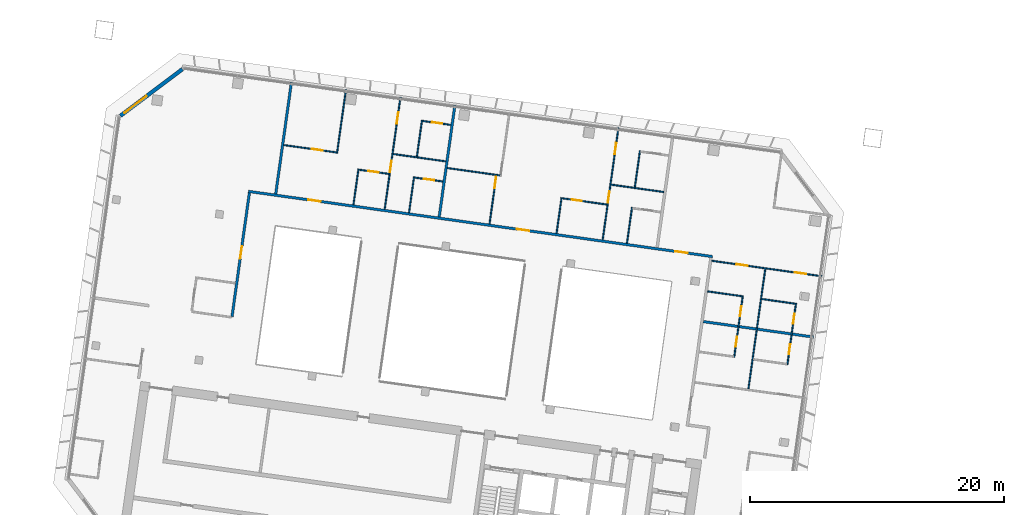
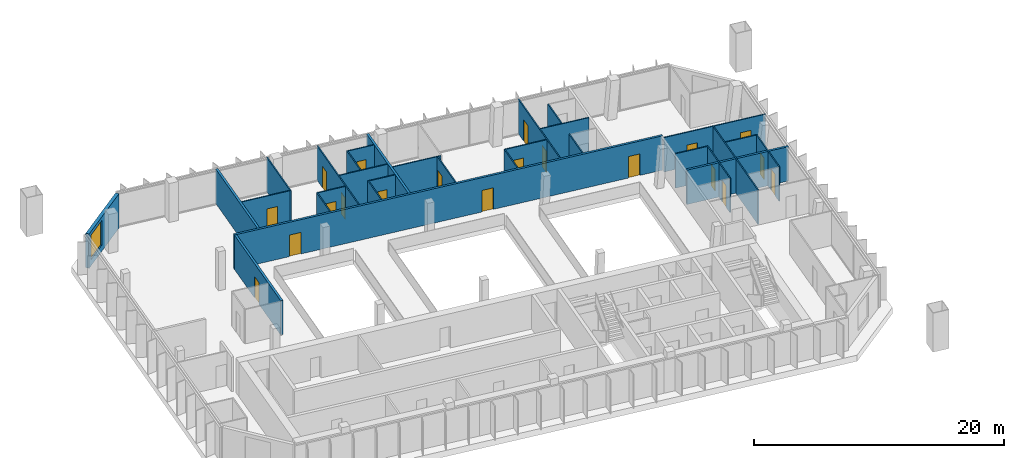
# One storey, part 15 of 23: 30 walls, 20 doors, 1 window, 21 openings.
"""IFC4 building model written with IfcOpenShell, lengths in metres."""

from ifc_helpers import new_model, si_unit, direction, frame, frame_2d, origin, place, context, subcontext, project, spatial, rectangle, extrude, material, layer, layer_set, type_object, element, fill, save


model = new_model("IFC4")

# Units and contexts
model_context = context("Model", 3, precision=1e-05, world=origin(), true_north=direction((0.0, 1.0)))
body_context = subcontext(model_context, "Body", "Model", "MODEL_VIEW")
ifc_project = project(units=[si_unit("LENGTHUNIT", "METRE"), si_unit("AREAUNIT", "SQUARE_METRE"), si_unit("VOLUMEUNIT", "CUBIC_METRE"), si_unit("PLANEANGLEUNIT", "RADIAN"), si_unit("MASSUNIT", "GRAM", prefix="KILO")], contexts=[model_context])

# Site, building, storey
site_placement = place(None, origin())
site = spatial("IfcSite", under=ifc_project, at=site_placement, CompositionType="ELEMENT")
building_placement = place(site_placement, origin())
building = spatial("IfcBuilding", under=site, at=building_placement, Name="Mirante Cascada Hotel Towers", CompositionType="ELEMENT")
storey_placement = place(building_placement, frame((0.0, 0.0, 199.2)))
storey = spatial("IfcBuildingStorey", under=building, at=storey_placement, Name="L47", CompositionType="ELEMENT", Elevation=199.2)

# Wall
ifc_material_1 = material(Name="Fire-rated plasterboard on metal studs")
ifc_layer_1 = layer(ifc_material_1, 0.2)
ifc_layer_set_1 = layer_set([ifc_layer_1], Name="Compartment wall 200 EI 120")
wall_type_1 = type_object("IfcWallType", Name="Compartment wall 200 EI 120", PredefinedType="PARTITIONING", material=ifc_layer_set_1)
wall_1_placement = place(storey_placement, frame((-26.6958, 2.4164, 0.0), z_axis=(0.0, 0.0, 1.0), x_axis=(-0.990268, 0.1391733, 0.0)))
element("IfcWall", 1, at=wall_1_placement, inside=storey, type_object=wall_type_1, Name="Wall 1-L47-14", PredefinedType="PARTITIONING", context=body_context, shape_type="SweptSolid", body=[
    extrude(rectangle(XDim=8.7574, YDim=0.2, at=frame_2d((4.3787, 0.0))), origin(), (0.0, 0.0, 1.0), 3.35),
])

# Wall, openings, doors
wall_2_placement = place(storey_placement, frame((-34.6489, 8.7516, 0.0), z_axis=(0.0, 0.0, 1.0), x_axis=(-0.990268, 0.1391734, 0.0)))
wall_2 = element("IfcWall", 2, at=wall_2_placement, inside=storey, type_object=wall_type_1, Name="Wall 1-L47-18", PredefinedType="PARTITIONING", context=body_context, shape_type="SweptSolid", body=[
    extrude(rectangle(XDim=36.9, YDim=0.2, at=frame_2d((18.45, 0.0))), origin(), (0.0, 0.0, 1.0), 3.35),
])
opening_1_placement = place(wall_2_placement, frame((1.9538, 0.0, 0.0)))
opening_1 = element("IfcOpeningElement", 3, at=opening_1_placement, cuts=wall_2, Name="Opening D1-L47-06", PredefinedType="OPENING", context=body_context, shape_type="SweptSolid", body=[
    extrude(rectangle(XDim=1.0, YDim=2.1, at=frame_2d((0.5, 1.05))), frame((0.0, 0.1, 0.0), z_axis=(0.0, -1.0, 0.0), x_axis=(1.0, 0.0, 0.0)), (0.0, 0.0, 1.0), 0.2),
])
opening_2_placement = place(wall_2_placement, frame((14.5726, 0.0, 0.0)))
opening_2 = element("IfcOpeningElement", 4, at=opening_2_placement, cuts=wall_2, Name="Opening D1-L47-07", PredefinedType="OPENING", context=body_context, shape_type="SweptSolid", body=[
    extrude(rectangle(XDim=1.0, YDim=2.1, at=frame_2d((0.5, 1.05))), frame((0.0, 0.1, 0.0), z_axis=(0.0, -1.0, 0.0), x_axis=(1.0, 0.0, 0.0)), (0.0, 0.0, 1.0), 0.2),
])
opening_3_placement = place(wall_2_placement, frame((31.1459, 0.0, 0.0)))
opening_3 = element("IfcOpeningElement", 5, at=opening_3_placement, cuts=wall_2, Name="Opening D1-L47-08", PredefinedType="OPENING", context=body_context, shape_type="SweptSolid", body=[
    extrude(rectangle(XDim=1.0, YDim=2.1, at=frame_2d((0.5, 1.05))), frame((0.0, 0.1, 0.0), z_axis=(0.0, -1.0, 0.0), x_axis=(1.0, 0.0, 0.0)), (0.0, 0.0, 1.0), 0.2),
])
ifc_material_2 = material(Name="Fire-rated timber door leaf", Category="wood")
door_type_1 = type_object("IfcDoorType", Name="Entrance door DG1 1000x2100 EI 60", OperationType="SINGLE_SWING_LEFT", PredefinedType="DOOR", material=ifc_material_2)
door_1_placement = place(opening_1_placement, frame((1.0, 0.0, 0.0), z_axis=(0.0, 0.0, 1.0), x_axis=(-1.0, 0.0, 0.0)))
door_1 = element("IfcDoor", 6, at=door_1_placement, inside=storey, type_object=door_type_1, Name="Door D1-L47-06", OperationType="SINGLE_SWING_RIGHT", OverallHeight=2.1, OverallWidth=1.0, PredefinedType="DOOR", context=body_context, shape_type="SweptSolid", body=[
    extrude(rectangle(XDim=1.0, YDim=2.1, at=frame_2d((0.5, 1.05))), frame((0.0, 0.025, 0.0), z_axis=(0.0, -1.0, 0.0), x_axis=(1.0, 0.0, 0.0)), (0.0, 0.0, 1.0), 0.05),
])
fill(opening_1, door_1)
door_2_placement = place(opening_2_placement, frame((1.0, 0.0, 0.0), z_axis=(0.0, 0.0, 1.0), x_axis=(-1.0, 0.0, 0.0)))
door_2 = element("IfcDoor", 7, at=door_2_placement, inside=storey, type_object=door_type_1, Name="Door D1-L47-07", OperationType="SINGLE_SWING_RIGHT", OverallHeight=2.1, OverallWidth=1.0, PredefinedType="DOOR", context=body_context, shape_type="SweptSolid", body=[
    extrude(rectangle(XDim=1.0, YDim=2.1, at=frame_2d((0.5, 1.05))), frame((0.0, 0.025, 0.0), z_axis=(0.0, -1.0, 0.0), x_axis=(1.0, 0.0, 0.0)), (0.0, 0.0, 1.0), 0.05),
])
fill(opening_2, door_2)
door_3_placement = place(opening_3_placement, frame((1.0, 0.0, 0.0), z_axis=(0.0, 0.0, 1.0), x_axis=(-1.0, 0.0, 0.0)))
door_3 = element("IfcDoor", 8, at=door_3_placement, inside=storey, type_object=door_type_1, Name="Door D1-L47-08", OperationType="SINGLE_SWING_RIGHT", OverallHeight=2.1, OverallWidth=1.0, PredefinedType="DOOR", context=body_context, shape_type="SweptSolid", body=[
    extrude(rectangle(XDim=1.0, YDim=2.1, at=frame_2d((0.5, 1.05))), frame((0.0, 0.025, 0.0), z_axis=(0.0, -1.0, 0.0), x_axis=(1.0, 0.0, 0.0)), (0.0, 0.0, 1.0), 0.05),
])
fill(opening_3, door_3)

# Walls
for number, where, z_axis, x_axis, name in (
    (9, (-56.1609, 11.8759, 0.0), (0.0, 0.0, 1.0), (0.1391684, 0.9902687, 0.0), "Wall 1-L47-46"),
    (10, (-69.0319, 13.6848, 0.0), (0.0, 0.0, 1.0), (0.1391684, 0.9902687, 0.0), "Wall 1-L47-52"),
):
    element("IfcWall", number, at=place(storey_placement, frame(where, z_axis=z_axis, x_axis=x_axis)), inside=storey, type_object=wall_type_1, Name=name, PredefinedType="PARTITIONING", context=body_context, shape_type="SweptSolid", body=[
        extrude(rectangle(XDim=8.9, YDim=0.2, at=frame_2d((4.45, 0.0))), origin(), (0.0, 0.0, 1.0), 3.35),
    ])

# Wall, opening, door
wall_3_placement = place(storey_placement, frame((-71.1047, 13.7742, 0.0), z_axis=(0.0, 0.0, 1.0), x_axis=(-0.1391668, -0.990269, 0.0)))
wall_3 = element("IfcWall", 11, at=wall_3_placement, inside=storey, type_object=wall_type_1, Name="Wall 1-L47-53", PredefinedType="PARTITIONING", context=body_context, shape_type="SweptSolid", body=[
    extrude(rectangle(XDim=9.8501, YDim=0.2, at=frame_2d((4.925, 0.0))), origin(), (0.0, 0.0, 1.0), 3.35),
])
opening_4_placement = place(wall_3_placement, frame((4.25, 0.0, 0.0)))
opening_4 = element("IfcOpeningElement", 12, at=opening_4_placement, cuts=wall_3, Name="Opening D1-L47-31", PredefinedType="OPENING", context=body_context, shape_type="SweptSolid", body=[
    extrude(rectangle(XDim=1.0, YDim=2.1, at=frame_2d((0.5, 1.05))), frame((0.0, 0.1, 0.0), z_axis=(0.0, -1.0, 0.0), x_axis=(1.0, 0.0, 0.0)), (0.0, 0.0, 1.0), 0.2),
])
door_4_placement = place(opening_4_placement, frame((1.0, 0.0, 0.0), z_axis=(0.0, 0.0, 1.0), x_axis=(-1.0, 0.0, 0.0)))
door_4 = element("IfcDoor", 13, at=door_4_placement, inside=storey, type_object=door_type_1, Name="Door D1-L47-31", OperationType="SINGLE_SWING_RIGHT", OverallHeight=2.1, OverallWidth=1.0, PredefinedType="DOOR", context=body_context, shape_type="SweptSolid", body=[
    extrude(rectangle(XDim=1.0, YDim=2.1, at=frame_2d((0.5, 1.05))), frame((0.0, 0.025, 0.0), z_axis=(0.0, -1.0, 0.0), x_axis=(1.0, 0.0, 0.0)), (0.0, 0.0, 1.0), 0.05),
])
fill(opening_4, door_4)

# Walls
ifc_material_3 = material(Name="Plasterboard on metal studs")
ifc_layer_2 = layer(ifc_material_3, 0.1)
ifc_layer_set_2 = layer_set([ifc_layer_2], Name="Partition 100")
wall_type_2 = type_object("IfcWallType", Name="Partition 100", PredefinedType="PARTITIONING", material=ifc_layer_set_2)
wall_4_placement = place(storey_placement, frame((-30.7685, 5.4124, 0.0), z_axis=(0.0, 0.0, 1.0), x_axis=(0.9902667, -0.1391831, 0.0)))
element("IfcWall", 14, at=wall_4_placement, inside=storey, type_object=wall_type_2, Name="Wall 1-L47-15", PredefinedType="PARTITIONING", context=body_context, shape_type="SweptSolid", body=[
    extrude(rectangle(XDim=2.6713, YDim=0.1, at=frame_2d((1.3356, 0.0))), origin(), (0.0, 0.0, 1.0), 3.35),
])
wall_5_placement = place(storey_placement, frame((-32.3107, 5.6291, 0.0), z_axis=(0.0, 0.0, 1.0), x_axis=(-0.9902648, 0.1391963, 0.0)))
element("IfcWall", 15, at=wall_5_placement, inside=storey, type_object=wall_type_2, Name="Wall 1-L47-16", PredefinedType="PARTITIONING", context=body_context, shape_type="SweptSolid", body=[
    extrude(rectangle(XDim=2.7501, YDim=0.1, at=frame_2d((1.3751, 0.0))), origin(), (0.0, 0.0, 1.0), 3.35),
])

# Wall, openings, doors
wall_6_placement = place(storey_placement, frame((-34.6953, 8.4216, 0.0), z_axis=(0.0, 0.0, 1.0), x_axis=(0.990268, -0.1391733, 0.0)))
wall_6 = element("IfcWall", 16, at=wall_6_placement, inside=storey, type_object=wall_type_2, Name="Wall 1-L47-17", PredefinedType="PARTITIONING", context=body_context, shape_type="SweptSolid", body=[
    extrude(rectangle(XDim=8.7574, YDim=0.1, at=frame_2d((4.3787, 0.0))), origin(), (0.0, 0.0, 1.0), 3.35),
])
opening_5_placement = place(wall_6_placement, frame((6.593, 0.0, 0.0)))
opening_5 = element("IfcOpeningElement", 17, at=opening_5_placement, cuts=wall_6, Name="Opening D1-L47-04", PredefinedType="OPENING", context=body_context, shape_type="SweptSolid", body=[
    extrude(rectangle(XDim=0.9, YDim=2.1, at=frame_2d((0.45, 1.05))), frame((0.0, 0.05, 0.0), z_axis=(0.0, -1.0, 0.0), x_axis=(1.0, 0.0, 0.0)), (0.0, 0.0, 1.0), 0.1),
])
opening_6_placement = place(wall_6_placement, frame((1.9643, 0.0, 0.0)))
opening_6 = element("IfcOpeningElement", 18, at=opening_6_placement, cuts=wall_6, Name="Opening D1-L47-05", PredefinedType="OPENING", context=body_context, shape_type="SweptSolid", body=[
    extrude(rectangle(XDim=0.9, YDim=2.1, at=frame_2d((0.45, 1.05))), frame((0.0, 0.05, 0.0), z_axis=(0.0, -1.0, 0.0), x_axis=(1.0, 0.0, 0.0)), (0.0, 0.0, 1.0), 0.1),
])
ifc_material_4 = material(Name="Timber door leaf", Category="wood")
door_type_2 = type_object("IfcDoorType", Name="Room door DG3 900x2100", OperationType="SINGLE_SWING_LEFT", PredefinedType="DOOR", material=ifc_material_4)
door_5_placement = place(opening_5_placement, origin())
door_5 = element("IfcDoor", 19, at=door_5_placement, inside=storey, type_object=door_type_2, Name="Door D1-L47-04", OperationType="SINGLE_SWING_LEFT", OverallHeight=2.1, OverallWidth=0.9, PredefinedType="DOOR", context=body_context, shape_type="SweptSolid", body=[
    extrude(rectangle(XDim=0.9, YDim=2.1, at=frame_2d((0.45, 1.05))), frame((0.0, 0.025, 0.0), z_axis=(0.0, -1.0, 0.0), x_axis=(1.0, 0.0, 0.0)), (0.0, 0.0, 1.0), 0.05),
])
fill(opening_5, door_5)
door_6_placement = place(opening_6_placement, origin())
door_6 = element("IfcDoor", 20, at=door_6_placement, inside=storey, type_object=door_type_2, Name="Door D1-L47-05", OperationType="SINGLE_SWING_LEFT", OverallHeight=2.1, OverallWidth=0.9, PredefinedType="DOOR", context=body_context, shape_type="SweptSolid", body=[
    extrude(rectangle(XDim=0.9, YDim=2.1, at=frame_2d((0.45, 1.05))), frame((0.0, 0.025, 0.0), z_axis=(0.0, -1.0, 0.0), x_axis=(1.0, 0.0, 0.0)), (0.0, 0.0, 1.0), 0.05),
])
fill(opening_6, door_6)

# Wall, opening, door
wall_7_placement = place(storey_placement, frame((-42.9499, 12.8468, 0.0), z_axis=(0.0, 0.0, 1.0), x_axis=(-0.9902687, 0.1391688, 0.0)))
wall_7 = element("IfcWall", 21, at=wall_7_placement, inside=storey, type_object=wall_type_2, Name="Wall 1-L47-20", PredefinedType="PARTITIONING", context=body_context, shape_type="SweptSolid", body=[
    extrude(rectangle(XDim=3.6675, YDim=0.1, at=frame_2d((1.8338, 0.0))), origin(), (0.0, 0.0, 1.0), 3.35),
])
opening_7_placement = place(wall_7_placement, frame((2.0175, 0.0, 0.0)))
opening_7 = element("IfcOpeningElement", 22, at=opening_7_placement, cuts=wall_7, Name="Opening D1-L47-10", PredefinedType="OPENING", context=body_context, shape_type="SweptSolid", body=[
    extrude(rectangle(XDim=0.8, YDim=2.1, at=frame_2d((0.4, 1.05))), frame((0.0, 0.05, 0.0), z_axis=(0.0, -1.0, 0.0), x_axis=(1.0, 0.0, 0.0)), (0.0, 0.0, 1.0), 0.1),
])
ifc_material_5 = material(Name="Timber door leaf", Category="wood")
door_type_3 = type_object("IfcDoorType", Name="Bathroom door DG4 800x2100", OperationType="SINGLE_SWING_LEFT", PredefinedType="DOOR", material=ifc_material_5)
door_7_placement = place(opening_7_placement, frame((0.8, 0.0, 0.0), z_axis=(0.0, 0.0, 1.0), x_axis=(-1.0, 0.0, 0.0)))
door_7 = element("IfcDoor", 23, at=door_7_placement, inside=storey, type_object=door_type_3, Name="Door D1-L47-10", OperationType="SINGLE_SWING_RIGHT", OverallHeight=2.1, OverallWidth=0.8, PredefinedType="DOOR", context=body_context, shape_type="SweptSolid", body=[
    extrude(rectangle(XDim=0.8, YDim=2.1, at=frame_2d((0.4, 1.05))), frame((0.0, 0.025, 0.0), z_axis=(0.0, -1.0, 0.0), x_axis=(1.0, 0.0, 0.0)), (0.0, 0.0, 1.0), 0.05),
])
fill(opening_7, door_7)

wall_8_placement = place(storey_placement, frame((-58.0984, 14.9757, 0.0), z_axis=(0.0, 0.0, 1.0), x_axis=(0.9902705, -0.1391561, 0.0)))
wall_8 = element("IfcWall", 24, at=wall_8_placement, inside=storey, type_object=wall_type_2, Name="Wall 1-L47-21", PredefinedType="PARTITIONING", context=body_context, shape_type="SweptSolid", body=[
    extrude(rectangle(XDim=2.25, YDim=0.1, at=frame_2d((1.125, 0.0))), origin(), (0.0, 0.0, 1.0), 3.35),
])
opening_8_placement = place(wall_8_placement, frame((0.75, 0.0, 0.0)))
opening_8 = element("IfcOpeningElement", 25, at=opening_8_placement, cuts=wall_8, Name="Opening D1-L47-11", PredefinedType="OPENING", context=body_context, shape_type="SweptSolid", body=[
    extrude(rectangle(XDim=0.8, YDim=2.1, at=frame_2d((0.4, 1.05))), frame((0.0, 0.05, 0.0), z_axis=(0.0, -1.0, 0.0), x_axis=(1.0, 0.0, 0.0)), (0.0, 0.0, 1.0), 0.1),
])
door_8_placement = place(opening_8_placement, frame((0.8, 0.0, 0.0), z_axis=(0.0, 0.0, 1.0), x_axis=(-1.0, 0.0, 0.0)))
door_8 = element("IfcDoor", 26, at=door_8_placement, inside=storey, type_object=door_type_3, Name="Door D1-L47-11", OperationType="SINGLE_SWING_RIGHT", OverallHeight=2.1, OverallWidth=0.8, PredefinedType="DOOR", context=body_context, shape_type="SweptSolid", body=[
    extrude(rectangle(XDim=0.8, YDim=2.1, at=frame_2d((0.4, 1.05))), frame((0.0, 0.025, 0.0), z_axis=(0.0, -1.0, 0.0), x_axis=(1.0, 0.0, 0.0)), (0.0, 0.0, 1.0), 0.05),
])
fill(opening_8, door_8)

wall_9_placement = place(storey_placement, frame((-60.1111, 15.2586, 0.0), z_axis=(0.0, 0.0, 1.0), x_axis=(-0.9902662, 0.1391861, 0.0)))
wall_9 = element("IfcWall", 27, at=wall_9_placement, inside=storey, type_object=wall_type_2, Name="Wall 1-L47-22", PredefinedType="PARTITIONING", context=body_context, shape_type="SweptSolid", body=[
    extrude(rectangle(XDim=2.3867, YDim=0.1, at=frame_2d((1.1934, 0.0))), origin(), (0.0, 0.0, 1.0), 3.35),
])
opening_9_placement = place(wall_9_placement, frame((0.8367, 0.0, 0.0)))
opening_9 = element("IfcOpeningElement", 28, at=opening_9_placement, cuts=wall_9, Name="Opening D1-L47-12", PredefinedType="OPENING", context=body_context, shape_type="SweptSolid", body=[
    extrude(rectangle(XDim=0.8, YDim=2.1, at=frame_2d((0.4, 1.05))), frame((0.0, 0.05, 0.0), z_axis=(0.0, -1.0, 0.0), x_axis=(1.0, 0.0, 0.0)), (0.0, 0.0, 1.0), 0.1),
])
door_9_placement = place(opening_9_placement, frame((0.8, 0.0, 0.0), z_axis=(0.0, 0.0, 1.0), x_axis=(-1.0, 0.0, 0.0)))
door_9 = element("IfcDoor", 29, at=door_9_placement, inside=storey, type_object=door_type_3, Name="Door D1-L47-12", OperationType="SINGLE_SWING_RIGHT", OverallHeight=2.1, OverallWidth=0.8, PredefinedType="DOOR", context=body_context, shape_type="SweptSolid", body=[
    extrude(rectangle(XDim=0.8, YDim=2.1, at=frame_2d((0.4, 1.05))), frame((0.0, 0.025, 0.0), z_axis=(0.0, -1.0, 0.0), x_axis=(1.0, 0.0, 0.0)), (0.0, 0.0, 1.0), 0.05),
])
fill(opening_9, door_9)

# Wall
wall_10_placement = place(storey_placement, frame((-55.5191, 15.7241, 0.0), z_axis=(0.0, 0.0, 1.0), x_axis=(0.9902673, -0.1391783, 0.0)))
element("IfcWall", 30, at=wall_10_placement, inside=storey, type_object=wall_type_2, Name="Wall 1-L47-23", PredefinedType="PARTITIONING", context=body_context, shape_type="SweptSolid", body=[
    extrude(rectangle(XDim=4.1824, YDim=0.1, at=frame_2d((2.0912, 0.0))), origin(), (0.0, 0.0, 1.0), 3.35),
])

# Wall, opening, door
wall_11_placement = place(storey_placement, frame((-64.2484, 16.9509, 0.0), z_axis=(0.0, 0.0, 1.0), x_axis=(-0.9902673, 0.1391783, 0.0)))
wall_11 = element("IfcWall", 31, at=wall_11_placement, inside=storey, type_object=wall_type_2, Name="Wall 1-L47-24", PredefinedType="PARTITIONING", context=body_context, shape_type="SweptSolid", body=[
    extrude(rectangle(XDim=4.1824, YDim=0.1, at=frame_2d((2.0912, 0.0))), origin(), (0.0, 0.0, 1.0), 3.35),
])
opening_10_placement = place(wall_11_placement, frame((1.0825, 0.0, 0.0)))
opening_10 = element("IfcOpeningElement", 32, at=opening_10_placement, cuts=wall_11, Name="Opening D1-L47-13", PredefinedType="OPENING", context=body_context, shape_type="SweptSolid", body=[
    extrude(rectangle(XDim=0.9, YDim=2.1, at=frame_2d((0.45, 1.05))), frame((0.0, 0.05, 0.0), z_axis=(0.0, -1.0, 0.0), x_axis=(1.0, 0.0, 0.0)), (0.0, 0.0, 1.0), 0.1),
])
door_10_placement = place(opening_10_placement, frame((0.9, 0.0, 0.0), z_axis=(0.0, 0.0, 1.0), x_axis=(-1.0, 0.0, 0.0)))
door_10 = element("IfcDoor", 33, at=door_10_placement, inside=storey, type_object=door_type_2, Name="Door D1-L47-13", OperationType="SINGLE_SWING_RIGHT", OverallHeight=2.1, OverallWidth=0.9, PredefinedType="DOOR", context=body_context, shape_type="SweptSolid", body=[
    extrude(rectangle(XDim=0.9, YDim=2.1, at=frame_2d((0.45, 1.05))), frame((0.0, 0.025, 0.0), z_axis=(0.0, -1.0, 0.0), x_axis=(1.0, 0.0, 0.0)), (0.0, 0.0, 1.0), 0.05),
])
fill(opening_10, door_10)

# Walls
for number, where, z_axis, x_axis, name in (
    (34, (-38.4864, 13.8352, 0.0), (0.0, 0.0, 1.0), (-0.9902678, 0.139175, 0.0), "Wall 1-L47-26"),
    (35, (-59.7894, 16.8291, 0.0), (0.0, 0.0, 1.0), (0.9902678, -0.139175, 0.0), "Wall 1-L47-27"),
):
    element("IfcWall", number, at=place(storey_placement, frame(where, z_axis=z_axis, x_axis=x_axis)), inside=storey, type_object=wall_type_2, Name=name, PredefinedType="PARTITIONING", context=body_context, shape_type="SweptSolid", body=[
        extrude(rectangle(XDim=4.1825, YDim=0.1, at=frame_2d((2.0912, 0.0))), origin(), (0.0, 0.0, 1.0), 3.35),
    ])

# Wall, opening, door
wall_12_placement = place(storey_placement, frame((-57.4721, 19.432, 0.0), z_axis=(0.0, 0.0, 1.0), x_axis=(0.9902643, -0.1391997, 0.0)))
wall_12 = element("IfcWall", 36, at=wall_12_placement, inside=storey, type_object=wall_type_2, Name="Wall 1-L47-29", PredefinedType="PARTITIONING", context=body_context, shape_type="SweptSolid", body=[
    extrude(rectangle(XDim=2.25, YDim=0.1, at=frame_2d((1.125, 0.0))), origin(), (0.0, 0.0, 1.0), 3.35),
])
opening_11_placement = place(wall_12_placement, frame((0.75, 0.0, 0.0)))
opening_11 = element("IfcOpeningElement", 37, at=opening_11_placement, cuts=wall_12, Name="Opening D1-L47-15", PredefinedType="OPENING", context=body_context, shape_type="SweptSolid", body=[
    extrude(rectangle(XDim=0.8, YDim=2.1, at=frame_2d((0.4, 1.05))), frame((0.0, 0.05, 0.0), z_axis=(0.0, -1.0, 0.0), x_axis=(1.0, 0.0, 0.0)), (0.0, 0.0, 1.0), 0.1),
])
door_11_placement = place(opening_11_placement, frame((0.8, 0.0, 0.0), z_axis=(0.0, 0.0, 1.0), x_axis=(-1.0, 0.0, 0.0)))
door_11 = element("IfcDoor", 38, at=door_11_placement, inside=storey, type_object=door_type_3, Name="Door D1-L47-15", OperationType="SINGLE_SWING_RIGHT", OverallHeight=2.1, OverallWidth=0.8, PredefinedType="DOOR", context=body_context, shape_type="SweptSolid", body=[
    extrude(rectangle(XDim=0.8, YDim=2.1, at=frame_2d((0.4, 1.05))), frame((0.0, 0.025, 0.0), z_axis=(0.0, -1.0, 0.0), x_axis=(1.0, 0.0, 0.0)), (0.0, 0.0, 1.0), 0.05),
])
fill(opening_11, door_11)

# Wall, openings, doors
wall_13_placement = place(storey_placement, frame((-28.7486, 0.2309, 0.0), z_axis=(0.0, 0.0, 1.0), x_axis=(0.1391638, 0.9902694, 0.0)))
wall_13 = element("IfcWall", 39, at=wall_13_placement, inside=storey, type_object=wall_type_2, Name="Wall 1-L47-30", PredefinedType="PARTITIONING", context=body_context, shape_type="SweptSolid", body=[
    extrude(rectangle(XDim=4.9, YDim=0.1, at=frame_2d((2.45, 0.0))), origin(), (0.0, 0.0, 1.0), 3.35),
])
opening_12_placement = place(wall_13_placement, frame((0.85, 0.0, 0.0)))
opening_12 = element("IfcOpeningElement", 40, at=opening_12_placement, cuts=wall_13, Name="Opening D1-L47-16", PredefinedType="OPENING", context=body_context, shape_type="SweptSolid", body=[
    extrude(rectangle(XDim=0.8, YDim=2.1, at=frame_2d((0.4, 1.05))), frame((0.0, 0.05, 0.0), z_axis=(0.0, -1.0, 0.0), x_axis=(1.0, 0.0, 0.0)), (0.0, 0.0, 1.0), 0.1),
])
opening_13_placement = place(wall_13_placement, frame((3.25, 0.0, 0.0)))
opening_13 = element("IfcOpeningElement", 41, at=opening_13_placement, cuts=wall_13, Name="Opening D1-L47-17", PredefinedType="OPENING", context=body_context, shape_type="SweptSolid", body=[
    extrude(rectangle(XDim=0.8, YDim=2.1, at=frame_2d((0.4, 1.05))), frame((0.0, 0.05, 0.0), z_axis=(0.0, -1.0, 0.0), x_axis=(1.0, 0.0, 0.0)), (0.0, 0.0, 1.0), 0.1),
])
door_12_placement = place(opening_12_placement, origin())
door_12 = element("IfcDoor", 42, at=door_12_placement, inside=storey, type_object=door_type_3, Name="Door D1-L47-16", OperationType="SINGLE_SWING_LEFT", OverallHeight=2.1, OverallWidth=0.8, PredefinedType="DOOR", context=body_context, shape_type="SweptSolid", body=[
    extrude(rectangle(XDim=0.8, YDim=2.1, at=frame_2d((0.4, 1.05))), frame((0.0, 0.025, 0.0), z_axis=(0.0, -1.0, 0.0), x_axis=(1.0, 0.0, 0.0)), (0.0, 0.0, 1.0), 0.05),
])
fill(opening_12, door_12)
door_13_placement = place(opening_13_placement, origin())
door_13 = element("IfcDoor", 43, at=door_13_placement, inside=storey, type_object=door_type_3, Name="Door D1-L47-17", OperationType="SINGLE_SWING_LEFT", OverallHeight=2.1, OverallWidth=0.8, PredefinedType="DOOR", context=body_context, shape_type="SweptSolid", body=[
    extrude(rectangle(XDim=0.8, YDim=2.1, at=frame_2d((0.4, 1.05))), frame((0.0, 0.025, 0.0), z_axis=(0.0, -1.0, 0.0), x_axis=(1.0, 0.0, 0.0)), (0.0, 0.0, 1.0), 0.05),
])
fill(opening_13, door_13)

# Wall
wall_14_placement = place(storey_placement, frame((-31.8177, -1.694, 0.0), z_axis=(0.0, 0.0, 1.0), x_axis=(0.1391703, 0.9902685, 0.0)))
element("IfcWall", 44, at=wall_14_placement, inside=storey, type_object=wall_type_2, Name="Wall 1-L47-34", PredefinedType="PARTITIONING", context=body_context, shape_type="SweptSolid", body=[
    extrude(rectangle(XDim=9.5667, YDim=0.1, at=frame_2d((4.7834, 0.0))), origin(), (0.0, 0.0, 1.0), 3.35),
])

# Wall, openings, doors
wall_15_placement = place(storey_placement, frame((-32.9362, 0.8194, 0.0), z_axis=(0.0, 0.0, 1.0), x_axis=(0.1391838, 0.9902666, 0.0)))
wall_15 = element("IfcWall", 45, at=wall_15_placement, inside=storey, type_object=wall_type_2, Name="Wall 1-L47-36", PredefinedType="PARTITIONING", context=body_context, shape_type="SweptSolid", body=[
    extrude(rectangle(XDim=4.9, YDim=0.1, at=frame_2d((2.45, 0.0))), origin(), (0.0, 0.0, 1.0), 3.35),
])
opening_14_placement = place(wall_15_placement, frame((0.85, 0.0, 0.0)))
opening_14 = element("IfcOpeningElement", 46, at=opening_14_placement, cuts=wall_15, Name="Opening D1-L47-22", PredefinedType="OPENING", context=body_context, shape_type="SweptSolid", body=[
    extrude(rectangle(XDim=0.8, YDim=2.1, at=frame_2d((0.4, 1.05))), frame((0.0, 0.05, 0.0), z_axis=(0.0, -1.0, 0.0), x_axis=(1.0, 0.0, 0.0)), (0.0, 0.0, 1.0), 0.1),
])
opening_15_placement = place(wall_15_placement, frame((3.25, 0.0, 0.0)))
opening_15 = element("IfcOpeningElement", 47, at=opening_15_placement, cuts=wall_15, Name="Opening D1-L47-23", PredefinedType="OPENING", context=body_context, shape_type="SweptSolid", body=[
    extrude(rectangle(XDim=0.8, YDim=2.1, at=frame_2d((0.4, 1.05))), frame((0.0, 0.05, 0.0), z_axis=(0.0, -1.0, 0.0), x_axis=(1.0, 0.0, 0.0)), (0.0, 0.0, 1.0), 0.1),
])
door_14_placement = place(opening_14_placement, origin())
door_14 = element("IfcDoor", 48, at=door_14_placement, inside=storey, type_object=door_type_3, Name="Door D1-L47-22", OperationType="SINGLE_SWING_LEFT", OverallHeight=2.1, OverallWidth=0.8, PredefinedType="DOOR", context=body_context, shape_type="SweptSolid", body=[
    extrude(rectangle(XDim=0.8, YDim=2.1, at=frame_2d((0.4, 1.05))), frame((0.0, 0.025, 0.0), z_axis=(0.0, -1.0, 0.0), x_axis=(1.0, 0.0, 0.0)), (0.0, 0.0, 1.0), 0.05),
])
fill(opening_14, door_14)
door_15_placement = place(opening_15_placement, origin())
door_15 = element("IfcDoor", 49, at=door_15_placement, inside=storey, type_object=door_type_3, Name="Door D1-L47-23", OperationType="SINGLE_SWING_LEFT", OverallHeight=2.1, OverallWidth=0.8, PredefinedType="DOOR", context=body_context, shape_type="SweptSolid", body=[
    extrude(rectangle(XDim=0.8, YDim=2.1, at=frame_2d((0.4, 1.05))), frame((0.0, 0.025, 0.0), z_axis=(0.0, -1.0, 0.0), x_axis=(1.0, 0.0, 0.0)), (0.0, 0.0, 1.0), 0.05),
])
fill(opening_15, door_15)

# Walls
wall_16_placement = place(storey_placement, frame((-41.3763, 9.7981, 0.0), z_axis=(0.0, 0.0, 1.0), x_axis=(0.1391564, 0.9902704, 0.0)))
element("IfcWall", 50, at=wall_16_placement, inside=storey, type_object=wall_type_2, Name="Wall 1-L47-40", PredefinedType="PARTITIONING", context=body_context, shape_type="SweptSolid", body=[
    extrude(rectangle(XDim=2.85, YDim=0.1, at=frame_2d((1.425, 0.0))), origin(), (0.0, 0.0, 1.0), 3.35),
])
wall_17_placement = place(storey_placement, frame((-40.3534, 17.0766, 0.0), z_axis=(0.0, 0.0, 1.0), x_axis=(-0.1391714, -0.9902683, 0.0)))
element("IfcWall", 51, at=wall_17_placement, inside=storey, type_object=wall_type_2, Name="Wall 1-L47-41", PredefinedType="PARTITIONING", context=body_context, shape_type="SweptSolid", body=[
    extrude(rectangle(XDim=2.9, YDim=0.1, at=frame_2d((1.45, 0.0))), origin(), (0.0, 0.0, 1.0), 3.35),
])

# Wall, openings, doors
wall_18_placement = place(storey_placement, frame((-43.29, 10.0671, 0.0), z_axis=(0.0, 0.0, 1.0), x_axis=(0.13917, 0.9902685, 0.0)))
wall_18 = element("IfcWall", 52, at=wall_18_placement, inside=storey, type_object=wall_type_2, Name="Wall 1-L47-42", PredefinedType="PARTITIONING", context=body_context, shape_type="SweptSolid", body=[
    extrude(rectangle(XDim=8.8999, YDim=0.1, at=frame_2d((4.45, 0.0))), origin(), (0.0, 0.0, 1.0), 3.35),
])
opening_16_placement = place(wall_18_placement, frame((2.95, 0.0, 0.0)))
opening_16 = element("IfcOpeningElement", 53, at=opening_16_placement, cuts=wall_18, Name="Opening D1-L47-25", PredefinedType="OPENING", context=body_context, shape_type="SweptSolid", body=[
    extrude(rectangle(XDim=0.9, YDim=2.1, at=frame_2d((0.45, 1.05))), frame((0.0, 0.05, 0.0), z_axis=(0.0, -1.0, 0.0), x_axis=(1.0, 0.0, 0.0)), (0.0, 0.0, 1.0), 0.1),
])
opening_17_placement = place(wall_18_placement, frame((6.8, 0.0, 0.0)))
opening_17 = element("IfcOpeningElement", 54, at=opening_17_placement, cuts=wall_18, Name="Opening D1-L47-26", PredefinedType="OPENING", context=body_context, shape_type="SweptSolid", body=[
    extrude(rectangle(XDim=0.9, YDim=2.1, at=frame_2d((0.45, 1.05))), frame((0.0, 0.05, 0.0), z_axis=(0.0, -1.0, 0.0), x_axis=(1.0, 0.0, 0.0)), (0.0, 0.0, 1.0), 0.1),
])
door_16_placement = place(opening_16_placement, origin())
door_16 = element("IfcDoor", 55, at=door_16_placement, inside=storey, type_object=door_type_2, Name="Door D1-L47-25", OperationType="SINGLE_SWING_LEFT", OverallHeight=2.1, OverallWidth=0.9, PredefinedType="DOOR", context=body_context, shape_type="SweptSolid", body=[
    extrude(rectangle(XDim=0.9, YDim=2.1, at=frame_2d((0.45, 1.05))), frame((0.0, 0.025, 0.0), z_axis=(0.0, -1.0, 0.0), x_axis=(1.0, 0.0, 0.0)), (0.0, 0.0, 1.0), 0.05),
])
fill(opening_16, door_16)
door_17_placement = place(opening_17_placement, origin())
door_17 = element("IfcDoor", 56, at=door_17_placement, inside=storey, type_object=door_type_2, Name="Door D1-L47-26", OperationType="SINGLE_SWING_LEFT", OverallHeight=2.1, OverallWidth=0.9, PredefinedType="DOOR", context=body_context, shape_type="SweptSolid", body=[
    extrude(rectangle(XDim=0.9, YDim=2.1, at=frame_2d((0.45, 1.05))), frame((0.0, 0.025, 0.0), z_axis=(0.0, -1.0, 0.0), x_axis=(1.0, 0.0, 0.0)), (0.0, 0.0, 1.0), 0.05),
])
fill(opening_17, door_17)

# Wall
wall_19_placement = place(storey_placement, frame((-46.5391, 13.3007, 0.0), z_axis=(0.0, 0.0, 1.0), x_axis=(-0.1391657, -0.9902691, 0.0)))
element("IfcWall", 57, at=wall_19_placement, inside=storey, type_object=wall_type_2, Name="Wall 1-L47-43", PredefinedType="PARTITIONING", context=body_context, shape_type="SweptSolid", body=[
    extrude(rectangle(XDim=2.75, YDim=0.1, at=frame_2d((1.375, 0.0))), origin(), (0.0, 0.0, 1.0), 3.35),
])

# Wall, opening, door
wall_20_placement = place(storey_placement, frame((-51.6641, 15.1318, 0.0), z_axis=(0.0, 0.0, 1.0), x_axis=(-0.1391665, -0.990269, 0.0)))
wall_20 = element("IfcWall", 58, at=wall_20_placement, inside=storey, type_object=wall_type_2, Name="Wall 1-L47-45", PredefinedType="PARTITIONING", context=body_context, shape_type="SweptSolid", body=[
    extrude(rectangle(XDim=3.8501, YDim=0.1, at=frame_2d((1.925, 0.0))), origin(), (0.0, 0.0, 1.0), 3.35),
])
opening_18_placement = place(wall_20_placement, frame((0.1, 0.0, 0.0)))
opening_18 = element("IfcOpeningElement", 59, at=opening_18_placement, cuts=wall_20, Name="Opening D1-L47-28", PredefinedType="OPENING", context=body_context, shape_type="SweptSolid", body=[
    extrude(rectangle(XDim=0.9, YDim=2.1, at=frame_2d((0.45, 1.05))), frame((0.0, 0.05, 0.0), z_axis=(0.0, -1.0, 0.0), x_axis=(1.0, 0.0, 0.0)), (0.0, 0.0, 1.0), 0.1),
])
door_18_placement = place(opening_18_placement, origin())
door_18 = element("IfcDoor", 60, at=door_18_placement, inside=storey, type_object=door_type_2, Name="Door D1-L47-28", OperationType="SINGLE_SWING_LEFT", OverallHeight=2.1, OverallWidth=0.9, PredefinedType="DOOR", context=body_context, shape_type="SweptSolid", body=[
    extrude(rectangle(XDim=0.9, YDim=2.1, at=frame_2d((0.45, 1.05))), frame((0.0, 0.025, 0.0), z_axis=(0.0, -1.0, 0.0), x_axis=(1.0, 0.0, 0.0)), (0.0, 0.0, 1.0), 0.05),
])
fill(opening_18, door_18)

# Walls
wall_21_placement = place(storey_placement, frame((-58.1409, 15.0322, 0.0), z_axis=(0.0, 0.0, 1.0), x_axis=(-0.1391957, -0.9902649, 0.0)))
element("IfcWall", 61, at=wall_21_placement, inside=storey, type_object=wall_type_2, Name="Wall 1-L47-47", PredefinedType="PARTITIONING", context=body_context, shape_type="SweptSolid", body=[
    extrude(rectangle(XDim=2.8499, YDim=0.1, at=frame_2d((1.425, 0.0))), origin(), (0.0, 0.0, 1.0), 3.35),
])
wall_22_placement = place(storey_placement, frame((-57.9183, 16.6166, 0.0), z_axis=(0.0, 0.0, 1.0), x_axis=(0.1391714, 0.9902683, 0.0)))
element("IfcWall", 62, at=wall_22_placement, inside=storey, type_object=wall_type_2, Name="Wall 1-L47-48", PredefinedType="PARTITIONING", context=body_context, shape_type="SweptSolid", body=[
    extrude(rectangle(XDim=2.9, YDim=0.1, at=frame_2d((1.45, 0.0))), origin(), (0.0, 0.0, 1.0), 3.35),
])

# Wall, openings, doors
wall_23_placement = place(storey_placement, frame((-59.2126, 21.2923, 0.0), z_axis=(0.0, 0.0, 1.0), x_axis=(-0.1391794, -0.9902672, 0.0)))
wall_23 = element("IfcWall", 63, at=wall_23_placement, inside=storey, type_object=wall_type_2, Name="Wall 1-L47-49", PredefinedType="PARTITIONING", context=body_context, shape_type="SweptSolid", body=[
    extrude(rectangle(XDim=8.9, YDim=0.1, at=frame_2d((4.45, 0.0))), origin(), (0.0, 0.0, 1.0), 3.35),
])
opening_19_placement = place(wall_23_placement, frame((5.05, 0.0, 0.0)))
opening_19 = element("IfcOpeningElement", 64, at=opening_19_placement, cuts=wall_23, Name="Opening D1-L47-29", PredefinedType="OPENING", context=body_context, shape_type="SweptSolid", body=[
    extrude(rectangle(XDim=0.9, YDim=2.1, at=frame_2d((0.45, 1.05))), frame((0.0, 0.05, 0.0), z_axis=(0.0, -1.0, 0.0), x_axis=(1.0, 0.0, 0.0)), (0.0, 0.0, 1.0), 0.1),
])
opening_20_placement = place(wall_23_placement, frame((1.2, 0.0, 0.0)))
opening_20 = element("IfcOpeningElement", 65, at=opening_20_placement, cuts=wall_23, Name="Opening D1-L47-30", PredefinedType="OPENING", context=body_context, shape_type="SweptSolid", body=[
    extrude(rectangle(XDim=0.9, YDim=2.1, at=frame_2d((0.45, 1.05))), frame((0.0, 0.05, 0.0), z_axis=(0.0, -1.0, 0.0), x_axis=(1.0, 0.0, 0.0)), (0.0, 0.0, 1.0), 0.1),
])
door_19_placement = place(opening_19_placement, frame((0.9, 0.0, 0.0), z_axis=(0.0, 0.0, 1.0), x_axis=(-1.0, 0.0, 0.0)))
door_19 = element("IfcDoor", 66, at=door_19_placement, inside=storey, type_object=door_type_2, Name="Door D1-L47-29", OperationType="SINGLE_SWING_RIGHT", OverallHeight=2.1, OverallWidth=0.9, PredefinedType="DOOR", context=body_context, shape_type="SweptSolid", body=[
    extrude(rectangle(XDim=0.9, YDim=2.1, at=frame_2d((0.45, 1.05))), frame((0.0, 0.025, 0.0), z_axis=(0.0, -1.0, 0.0), x_axis=(1.0, 0.0, 0.0)), (0.0, 0.0, 1.0), 0.05),
])
fill(opening_19, door_19)
door_20_placement = place(opening_20_placement, frame((0.9, 0.0, 0.0), z_axis=(0.0, 0.0, 1.0), x_axis=(-1.0, 0.0, 0.0)))
door_20 = element("IfcDoor", 67, at=door_20_placement, inside=storey, type_object=door_type_2, Name="Door D1-L47-30", OperationType="SINGLE_SWING_RIGHT", OverallHeight=2.1, OverallWidth=0.9, PredefinedType="DOOR", context=body_context, shape_type="SweptSolid", body=[
    extrude(rectangle(XDim=0.9, YDim=2.1, at=frame_2d((0.45, 1.05))), frame((0.0, 0.025, 0.0), z_axis=(0.0, -1.0, 0.0), x_axis=(1.0, 0.0, 0.0)), (0.0, 0.0, 1.0), 0.05),
])
fill(opening_20, door_20)

# Walls
wall_24_placement = place(storey_placement, frame((-62.9138, 12.825, 0.0), z_axis=(0.0, 0.0, 1.0), x_axis=(0.1391909, 0.9902656, 0.0)))
element("IfcWall", 68, at=wall_24_placement, inside=storey, type_object=wall_type_2, Name="Wall 1-L47-50", PredefinedType="PARTITIONING", context=body_context, shape_type="SweptSolid", body=[
    extrude(rectangle(XDim=2.85, YDim=0.1, at=frame_2d((1.425, 0.0))), origin(), (0.0, 0.0, 1.0), 3.35),
])
wall_25_placement = place(storey_placement, frame((-63.503, 21.8953, 0.0), z_axis=(0.0, 0.0, 1.0), x_axis=(-0.1391671, -0.9902689, 0.0)))
element("IfcWall", 69, at=wall_25_placement, inside=storey, type_object=wall_type_2, Name="Wall 1-L47-51", PredefinedType="PARTITIONING", context=body_context, shape_type="SweptSolid", body=[
    extrude(rectangle(XDim=5.05, YDim=0.1, at=frame_2d((2.525, 0.0))), origin(), (0.0, 0.0, 1.0), 3.35),
])

# Wall, opening, window
ifc_material_6 = material(Name="Precast concrete C40/50", Category="concrete")
ifc_layer_3 = layer(ifc_material_6, 0.3)
ifc_layer_set_3 = layer_set([ifc_layer_3], Name="Precast concrete C40/50 cladding wall 300")
wall_type_3 = type_object("IfcWallType", Name="Precast concrete C40/50 cladding wall 300", PredefinedType="STANDARD", material=ifc_layer_set_3)
wall_26_placement = place(storey_placement, frame((-81.2671, 19.8291, 0.0), z_axis=(0.0, 0.0, 1.0), x_axis=(0.7986343, 0.6018167, 0.0)))
wall_26 = element("IfcWall", 70, at=wall_26_placement, inside=storey, type_object=wall_type_3, Name="Corner cladding wall T1 L47 outer front", PredefinedType="STANDARD", context=body_context, shape_type="SweptSolid", body=[
    extrude(rectangle(XDim=6.1158, YDim=0.3, at=frame_2d((3.0579, 0.0))), origin(), (0.0, 0.0, 1.0), 3.35),
])
opening_21_placement = place(wall_26_placement, frame((0.3914, 0.0, 0.6)))
opening_21 = element("IfcOpeningElement", 71, at=opening_21_placement, cuts=wall_26, Name="Opening W1-47-02", PredefinedType="OPENING", context=body_context, shape_type="SweptSolid", body=[
    extrude(rectangle(XDim=2.2, YDim=2.4, at=frame_2d((1.1, 1.2))), frame((0.0, 0.15, 0.0), z_axis=(0.0, -1.0, 0.0), x_axis=(1.0, 0.0, 0.0)), (0.0, 0.0, 1.0), 0.3),
])
ifc_material_7 = material(Name="Aluminium frame with clear double glazing", Category="aluminium")
window_type = type_object("IfcWindowType", Name="Corner suite window 2200x2400", PartitioningType="DOUBLE_PANEL_VERTICAL", PredefinedType="WINDOW", material=ifc_material_7)
window_placement = place(opening_21_placement, origin())
window = element("IfcWindow", 72, at=window_placement, inside=storey, type_object=window_type, Name="Window W1-47-02", OverallHeight=2.4, OverallWidth=2.2, PartitioningType="SINGLE_PANEL", PredefinedType="WINDOW", context=body_context, shape_type="SweptSolid", body=[
    extrude(rectangle(XDim=2.2, YDim=2.4, at=frame_2d((1.1, 1.2))), frame((0.0, 0.03, 0.0), z_axis=(0.0, -1.0, 0.0), x_axis=(1.0, 0.0, 0.0)), (0.0, 0.0, 1.0), 0.06),
])
fill(opening_21, window)

save(model, "model.ifc")
